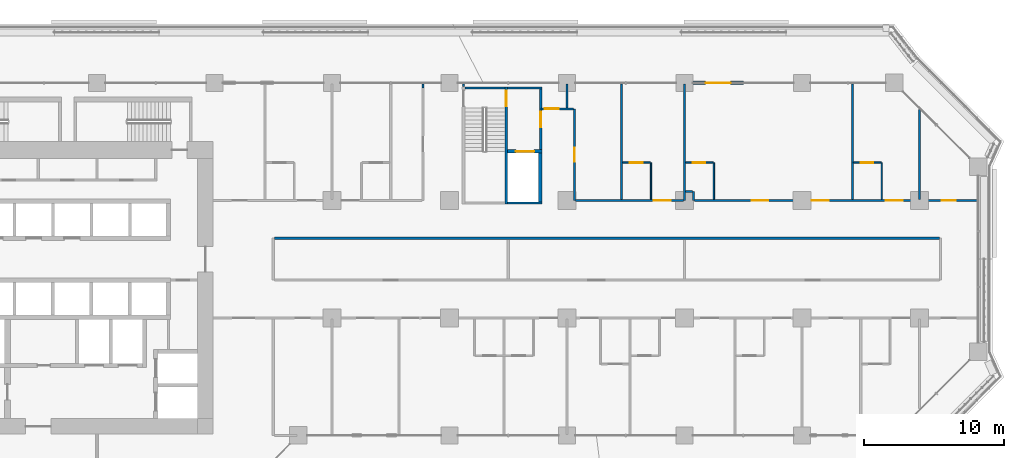
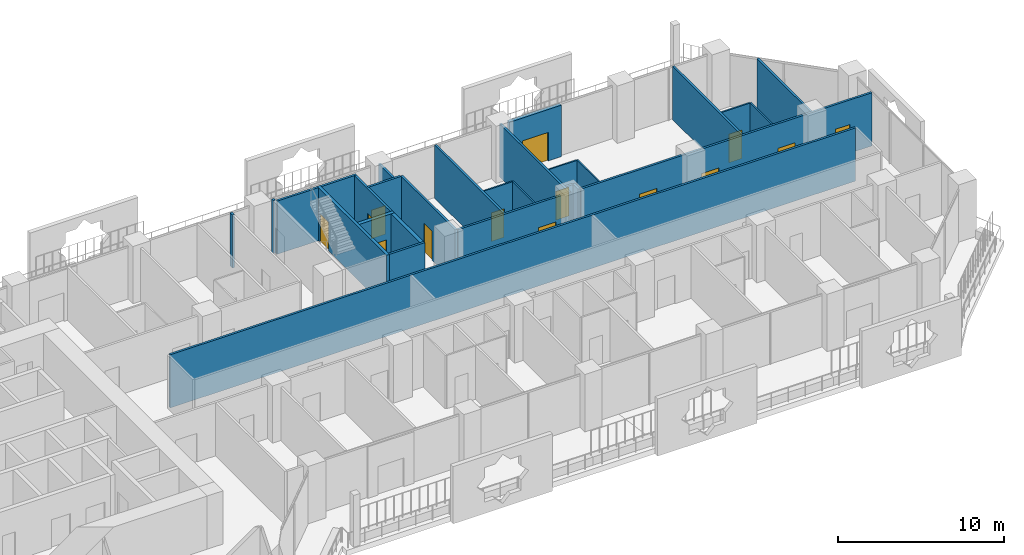
# One storey, part 19 of 28: 28 walls, 14 doors, 14 openings.
"""IFC4 building model written with IfcOpenShell, lengths in metres."""

from ifc_helpers import new_model, si_unit, direction, frame, frame_2d, origin, place, context, subcontext, project, spatial, rectangle, extrude, material, layer, layer_set, type_object, element, fill, save


model = new_model("IFC4")

# Units and contexts
model_context = context("Model", 3, precision=1e-05, world=origin(), true_north=direction((0.0, 1.0)))
body_context = subcontext(model_context, "Body", "Model", "MODEL_VIEW")
ifc_project = project(units=[si_unit("LENGTHUNIT", "METRE"), si_unit("AREAUNIT", "SQUARE_METRE"), si_unit("VOLUMEUNIT", "CUBIC_METRE"), si_unit("PLANEANGLEUNIT", "RADIAN"), si_unit("MASSUNIT", "GRAM", prefix="KILO")], contexts=[model_context])

# Site, building, storey
site_placement = place(None, origin())
site = spatial("IfcSite", under=ifc_project, at=site_placement, CompositionType="ELEMENT")
building_placement = place(site_placement, origin())
building = spatial("IfcBuilding", under=site, at=building_placement, Name="Kawkab Arch Medical Tower", CompositionType="ELEMENT")
storey_placement = place(building_placement, frame((0.0, 0.0, 81.199951171875)))
storey = spatial("IfcBuildingStorey", under=building, at=storey_placement, Name="L18", CompositionType="ELEMENT", Elevation=81.199951171875)

# Wall, opening, door
ifc_material_1 = material(Name="Gypsum board on steel studs", Category="steel")
ifc_layer_1 = layer(ifc_material_1, 0.14990234375)
ifc_layer_set_1 = layer_set([ifc_layer_1], Name="Gypsum board on steel studs")
wall_type_1 = type_object("IfcWallType", Name="Core room partition 150", PredefinedType="PARTITIONING", material=ifc_layer_set_1)
wall_1_placement = place(storey_placement, frame((48.52490234375, -4.77490234375, 0.0), z_axis=(0.0, 0.0, 1.0), x_axis=(0.0, 1.0, 0.0)))
wall_1 = element("IfcWall", 1, at=wall_1_placement, inside=storey, type_object=wall_type_1, Name="L18 core room partition", PredefinedType="PARTITIONING", context=body_context, shape_type="SweptSolid", body=[
    extrude(rectangle(XDim=4.324951171875, YDim=0.14990234375, at=frame_2d((2.16259765625, 0.0))), origin(), (0.0, 0.0, 1.0), 3.900146484375),
])
opening_1_placement = place(wall_1_placement, frame((1.625, 0.0, 0.0)))
opening_1 = element("IfcOpeningElement", 2, at=opening_1_placement, cuts=wall_1, Name="Opening FD", PredefinedType="OPENING", context=body_context, shape_type="SweptSolid", body=[
    extrude(rectangle(XDim=1.10009765625, YDim=2.10009765625, at=frame_2d((0.550048828125, 1.050048828125))), frame((0.0, 0.0849609375, 0.0), z_axis=(0.0, -1.0, 0.0), x_axis=(1.0, 0.0, 0.0)), (0.0, 0.0, 1.0), 0.169921875),
])
ifc_material_2 = material(Name="Hollow metal fire door leaf")
door_type_1 = type_object("IfcDoorType", Name="Firefighting lobby door 1100", OperationType="SINGLE_SWING_LEFT", PredefinedType="DOOR", material=ifc_material_2)
door_1_placement = place(opening_1_placement, origin())
door_1 = element("IfcDoor", 3, at=door_1_placement, inside=storey, type_object=door_type_1, Name="L18 Service lift lobby door SV1", OperationType="SINGLE_SWING_LEFT", OverallHeight=2.10009765625, OverallWidth=1.10009765625, PredefinedType="DOOR", context=body_context, shape_type="SweptSolid", body=[
    extrude(rectangle(XDim=1.10009765625, YDim=2.10009765625, at=frame_2d((0.550048828125, 1.050048828125))), frame((0.0, 0.02490234375, 0.0), z_axis=(0.0, -1.0, 0.0), x_axis=(1.0, 0.0, 0.0)), (0.0, 0.0, 1.0), 0.050048828125),
])
fill(opening_1, door_1)

ifc_material_3 = material(Name="Concrete C60/75", Category="concrete")
ifc_layer_2 = layer(ifc_material_3, 0.25)
ifc_layer_set_2 = layer_set([ifc_layer_2], Name="Concrete C60/75")
wall_type_2 = type_object("IfcWallType", Name="Core shear wall 250 C60/75", PredefinedType="SHEAR", material=ifc_layer_set_2)
wall_2_placement = place(storey_placement, frame((46.14990234375, -4.89990234375, 0.0), z_axis=(0.0, 0.0, 1.0), x_axis=(1.0, 0.0, 0.0)))
wall_2 = element("IfcWall", 4, at=wall_2_placement, inside=storey, type_object=wall_type_2, Name="L18 core shear wall", PredefinedType="SHEAR", context=body_context, shape_type="SweptSolid", body=[
    extrude(rectangle(XDim=2.4501953125, YDim=0.25, at=frame_2d((1.22509765625, 0.0))), origin(), (0.0, 0.0, 1.0), 3.900146484375),
])
opening_2_placement = place(wall_2_placement, frame((0.60009765625, 0.0, 0.0)))
opening_2 = element("IfcOpeningElement", 5, at=opening_2_placement, cuts=wall_2, Name="Opening LD2", PredefinedType="OPENING", context=body_context, shape_type="SweptSolid", body=[
    extrude(rectangle(XDim=1.300048828125, YDim=2.10009765625, at=frame_2d((0.64990234375, 1.050048828125))), frame((0.0, 0.135009765625, 0.0), z_axis=(0.0, -1.0, 0.0), x_axis=(1.0, 0.0, 0.0)), (0.0, 0.0, 1.0), 0.27001953125),
])
ifc_material_4 = material(Name="Stainless steel lift door leaf", Category="steel")
door_type_2 = type_object("IfcDoorType", Name="Lift landing door 1300", OperationType="DOUBLE_DOOR_SLIDING", PredefinedType="DOOR", material=ifc_material_4)
door_2_placement = place(opening_2_placement, origin())
door_2 = element("IfcDoor", 6, at=door_2_placement, inside=storey, type_object=door_type_2, Name="L18 Lift landing door SV1", OperationType="DOUBLE_DOOR_SLIDING", OverallHeight=2.10009765625, OverallWidth=1.300048828125, PredefinedType="DOOR", context=body_context, shape_type="SweptSolid", body=[
    extrude(rectangle(XDim=1.300048828125, YDim=2.10009765625, at=frame_2d((0.64990234375, 1.050048828125))), frame((0.0, 0.02490234375, 0.0), z_axis=(0.0, -1.0, 0.0), x_axis=(1.0, 0.0, 0.0)), (0.0, 0.0, 1.0), 0.050048828125),
])
fill(opening_2, door_2)

# Wall
wall_3_placement = place(storey_placement, frame((48.47509765625, -8.5, 0.0), z_axis=(0.0, 0.0, 1.0), x_axis=(0.0, 1.0, 0.0)))
element("IfcWall", 7, at=wall_3_placement, inside=storey, type_object=wall_type_2, Name="L18 core shear wall", PredefinedType="SHEAR", context=body_context, shape_type="SweptSolid", body=[
    extrude(rectangle(XDim=3.47509765625, YDim=0.25, at=frame_2d((1.737548828125, 0.0))), origin(), (0.0, 0.0, 1.0), 3.900146484375),
])

# Wall, opening, door
ifc_material_5 = material(Name="Bronze clad insulated wall panel")
ifc_layer_3 = layer(ifc_material_5, 0.25)
ifc_layer_set_3 = layer_set([ifc_layer_3], Name="Bronze clad insulated wall panel")
wall_type_3 = type_object("IfcWallType", Name="External wall bay 250", PredefinedType="SOLIDWALL", material=ifc_layer_set_3)
wall_4_placement = place(storey_placement, frame((63.0, 0.0, 0.0), z_axis=(0.0, 0.0, 1.0), x_axis=(-1.0, 0.0, 0.0)))
wall_4 = element("IfcWall", 8, at=wall_4_placement, inside=storey, type_object=wall_type_3, Name="External wall bay L18.R11.2.2", PredefinedType="SOLIDWALL", context=body_context, shape_type="SweptSolid", body=[
    extrude(rectangle(XDim=3.60009765625, YDim=0.25, at=frame_2d((1.800048828125, 0.0))), origin(), (0.0, 0.0, 1.0), 3.780029296875),
])
opening_3_placement = place(wall_4_placement, frame((0.89990234375, 0.0, 0.0)))
opening_3 = element("IfcOpeningElement", 9, at=opening_3_placement, cuts=wall_4, Name="Opening W18-702", PredefinedType="OPENING", context=body_context, shape_type="SweptSolid", body=[
    extrude(rectangle(XDim=1.800048828125, YDim=2.10009765625, at=frame_2d((0.89990234375, 1.050048828125))), frame((0.0, 0.135009765625, 0.0), z_axis=(0.0, -1.0, 0.0), x_axis=(1.0, 0.0, 0.0)), (0.0, 0.0, 1.0), 0.27001953125),
])
ifc_material_6 = material(Name="Bronze anodised aluminium door with tinted glass", Category="aluminium")
door_type_3 = type_object("IfcDoorType", Name="Double external door 1800 x 2100", OperationType="DOUBLE_DOOR_SINGLE_SWING", PredefinedType="DOOR", material=ifc_material_6)
door_3_placement = place(opening_3_placement, origin())
door_3 = element("IfcDoor", 10, at=door_3_placement, inside=storey, type_object=door_type_3, Name="External door L18.R11.2.2", OperationType="DOUBLE_DOOR_SINGLE_SWING", OverallHeight=2.10009765625, OverallWidth=1.800048828125, PredefinedType="DOOR", context=body_context, shape_type="SweptSolid", body=[
    extrude(rectangle(XDim=1.800048828125, YDim=2.10009765625, at=frame_2d((0.89990234375, 1.050048828125))), frame((0.0, 0.02490234375, 0.0), z_axis=(0.0, -1.0, 0.0), x_axis=(1.0, 0.0, 0.0)), (0.0, 0.0, 1.0), 0.050048828125),
])
fill(opening_3, door_3)

ifc_material_7 = material(Name="Gypsum board partition on steel studs", Category="steel")
ifc_layer_4 = layer(ifc_material_7, 0.10009765625)
ifc_layer_set_4 = layer_set([ifc_layer_4], Name="Gypsum board partition on steel studs")
wall_type_4 = type_object("IfcWallType", Name="Partition 100", PredefinedType="PARTITIONING", material=ifc_layer_set_4)
wall_5_placement = place(storey_placement, frame((54.375, -5.699951171875, 0.0), z_axis=(0.0, 0.0, 1.0), x_axis=(1.0, 0.0, 0.0)))
wall_5 = element("IfcWall", 11, at=wall_5_placement, inside=storey, type_object=wall_type_4, Name="Partition 100 w017", PredefinedType="PARTITIONING", context=body_context, shape_type="SweptSolid", body=[
    extrude(rectangle(XDim=1.97509765625, YDim=0.10009765625, at=frame_2d((0.987548828125, 0.0))), origin(), (0.0, 0.0, 1.0), 3.900146484375),
])
opening_4_placement = place(wall_5_placement, frame((0.52490234375, 0.0, 0.0)))
opening_4 = element("IfcOpeningElement", 12, at=opening_4_placement, cuts=wall_5, Name="Opening W18-005", PredefinedType="OPENING", context=body_context, shape_type="SweptSolid", body=[
    extrude(rectangle(XDim=0.89990234375, YDim=2.10009765625, at=frame_2d((0.449951171875, 1.050048828125))), frame((0.0, 0.06005859375, 0.0), z_axis=(0.0, -1.0, 0.0), x_axis=(1.0, 0.0, 0.0)), (0.0, 0.0, 1.0), 0.1201171875),
])
ifc_material_8 = material(Name="Timber door leaf", Category="wood")
door_type_4 = type_object("IfcDoorType", Name="Single door 900x2100", OperationType="NOTDEFINED", PredefinedType="DOOR", material=ifc_material_8)
door_4_placement = place(opening_4_placement, origin())
door_4 = element("IfcDoor", 13, at=door_4_placement, inside=storey, type_object=door_type_4, Name="Door W18-005", OperationType="SINGLE_SWING_RIGHT", OverallHeight=2.10009765625, OverallWidth=0.89990234375, PredefinedType="DOOR", context=body_context, shape_type="SweptSolid", body=[
    extrude(rectangle(XDim=0.89990234375, YDim=2.10009765625, at=frame_2d((0.449951171875, 1.050048828125))), frame((0.0, 0.02490234375, 0.0), z_axis=(0.0, -1.0, 0.0), x_axis=(1.0, 0.0, 0.0)), (0.0, 0.0, 1.0), 0.050048828125),
])
fill(opening_4, door_4)

wall_6_placement = place(storey_placement, frame((58.875, -5.699951171875, 0.0), z_axis=(0.0, 0.0, 1.0), x_axis=(1.0, 0.0, 0.0)))
wall_6 = element("IfcWall", 14, at=wall_6_placement, inside=storey, type_object=wall_type_4, Name="Partition 100 w018", PredefinedType="PARTITIONING", context=body_context, shape_type="SweptSolid", body=[
    extrude(rectangle(XDim=1.972900390625, YDim=0.10009765625, at=frame_2d((0.986328125, 0.0))), origin(), (0.0, 0.0, 1.0), 3.900146484375),
])
opening_5_placement = place(wall_6_placement, frame((0.52392578125, 0.0, 0.0)))
opening_5 = element("IfcOpeningElement", 15, at=opening_5_placement, cuts=wall_6, Name="Opening W18-006", PredefinedType="OPENING", context=body_context, shape_type="SweptSolid", body=[
    extrude(rectangle(XDim=0.89990234375, YDim=2.10009765625, at=frame_2d((0.449951171875, 1.050048828125))), frame((0.0, 0.06005859375, 0.0), z_axis=(0.0, -1.0, 0.0), x_axis=(1.0, 0.0, 0.0)), (0.0, 0.0, 1.0), 0.1201171875),
])
door_5_placement = place(opening_5_placement, origin())
door_5 = element("IfcDoor", 16, at=door_5_placement, inside=storey, type_object=door_type_4, Name="Door W18-006", OperationType="SINGLE_SWING_LEFT", OverallHeight=2.10009765625, OverallWidth=0.89990234375, PredefinedType="DOOR", context=body_context, shape_type="SweptSolid", body=[
    extrude(rectangle(XDim=0.89990234375, YDim=2.10009765625, at=frame_2d((0.449951171875, 1.050048828125))), frame((0.0, 0.02490234375, 0.0), z_axis=(0.0, -1.0, 0.0), x_axis=(1.0, 0.0, 0.0)), (0.0, 0.0, 1.0), 0.050048828125),
])
fill(opening_5, door_5)

wall_7_placement = place(storey_placement, frame((70.875, -5.699951171875, 0.0), z_axis=(0.0, 0.0, 1.0), x_axis=(1.0, 0.0, 0.0)))
wall_7 = element("IfcWall", 17, at=wall_7_placement, inside=storey, type_object=wall_type_4, Name="Partition 100 w019", PredefinedType="PARTITIONING", context=body_context, shape_type="SweptSolid", body=[
    extrude(rectangle(XDim=1.97509765625, YDim=0.10009765625, at=frame_2d((0.987548828125, 0.0))), origin(), (0.0, 0.0, 1.0), 3.900146484375),
])
opening_6_placement = place(wall_7_placement, frame((0.52490234375, 0.0, 0.0)))
opening_6 = element("IfcOpeningElement", 18, at=opening_6_placement, cuts=wall_7, Name="Opening W18-007", PredefinedType="OPENING", context=body_context, shape_type="SweptSolid", body=[
    extrude(rectangle(XDim=0.89990234375, YDim=2.10009765625, at=frame_2d((0.449951171875, 1.050048828125))), frame((0.0, 0.06005859375, 0.0), z_axis=(0.0, -1.0, 0.0), x_axis=(1.0, 0.0, 0.0)), (0.0, 0.0, 1.0), 0.1201171875),
])
door_6_placement = place(opening_6_placement, origin())
door_6 = element("IfcDoor", 19, at=door_6_placement, inside=storey, type_object=door_type_4, Name="Door W18-007", OperationType="SINGLE_SWING_LEFT", OverallHeight=2.10009765625, OverallWidth=0.89990234375, PredefinedType="DOOR", context=body_context, shape_type="SweptSolid", body=[
    extrude(rectangle(XDim=0.89990234375, YDim=2.10009765625, at=frame_2d((0.449951171875, 1.050048828125))), frame((0.0, 0.02490234375, 0.0), z_axis=(0.0, -1.0, 0.0), x_axis=(1.0, 0.0, 0.0)), (0.0, 0.0, 1.0), 0.050048828125),
])
fill(opening_6, door_6)

# Walls
wall_8_placement = place(storey_placement, frame((56.39990234375, -8.324951171875, 0.0), z_axis=(0.0, 0.0, 1.0), x_axis=(0.0, 1.0, 0.0)))
element("IfcWall", 20, at=wall_8_placement, inside=storey, type_object=wall_type_4, Name="Partition 100 w033", PredefinedType="PARTITIONING", context=body_context, shape_type="SweptSolid", body=[
    extrude(rectangle(XDim=2.625, YDim=0.10009765625, at=frame_2d((1.3125, 0.0))), origin(), (0.0, 0.0, 1.0), 3.900146484375),
])
wall_9_placement = place(storey_placement, frame((60.89990234375, -8.324951171875, 0.0), z_axis=(0.0, 0.0, 1.0), x_axis=(0.0, 1.0, 0.0)))
element("IfcWall", 21, at=wall_9_placement, inside=storey, type_object=wall_type_4, Name="Partition 100 w035", PredefinedType="PARTITIONING", context=body_context, shape_type="SweptSolid", body=[
    extrude(rectangle(XDim=2.6240234375, YDim=0.10009765625, at=frame_2d((1.31201171875, 0.0))), origin(), (0.0, 0.0, 1.0), 3.900146484375),
])
wall_10_placement = place(storey_placement, frame((72.89990234375, -8.324951171875, 0.0), z_axis=(0.0, 0.0, 1.0), x_axis=(0.0, 1.0, 0.0)))
element("IfcWall", 22, at=wall_10_placement, inside=storey, type_object=wall_type_4, Name="Partition 100 w037", PredefinedType="PARTITIONING", context=body_context, shape_type="SweptSolid", body=[
    extrude(rectangle(XDim=2.625, YDim=0.10009765625, at=frame_2d((1.3125, 0.0))), origin(), (0.0, 0.0, 1.0), 3.900146484375),
])
ifc_material_9 = material(Name="Gypsum board partition on steel studs, mineral wool", Category="steel")
ifc_layer_5 = layer(ifc_material_9, 0.14990234375)
ifc_layer_set_5 = layer_set([ifc_layer_5], Name="Gypsum board partition on steel studs, mineral wool")
wall_type_5 = type_object("IfcWallType", Name="Partition 150", PredefinedType="PARTITIONING", material=ifc_layer_set_5)
wall_11_placement = place(storey_placement, frame((29.47509765625, -11.10009765625, 0.0), z_axis=(0.0, 0.0, 1.0), x_axis=(1.0, 0.0, 0.0)))
element("IfcWall", 23, at=wall_11_placement, inside=storey, type_object=wall_type_5, Name="Partition 150 w062", PredefinedType="PARTITIONING", context=body_context, shape_type="SweptSolid", body=[
    extrude(rectangle(XDim=47.5498046875, YDim=0.14990234375, at=frame_2d((23.77490234375, 0.0))), origin(), (0.0, 0.0, 1.0), 3.900146484375),
])

# Wall, opening, door
wall_12_placement = place(storey_placement, frame((51.0, -8.39990234375, 0.0), z_axis=(0.0, 0.0, 1.0), x_axis=(1.0, 0.0, 0.0)))
wall_12 = element("IfcWall", 24, at=wall_12_placement, inside=storey, type_object=wall_type_5, Name="Partition 150 w065", PredefinedType="PARTITIONING", context=body_context, shape_type="SweptSolid", body=[
    extrude(rectangle(XDim=7.722900390625, YDim=0.14990234375, at=frame_2d((3.861328125, 0.0))), origin(), (0.0, 0.0, 1.0), 3.900146484375),
])
opening_7_placement = place(wall_12_placement, frame((5.60009765625, 0.0, 0.0)))
opening_7 = element("IfcOpeningElement", 25, at=opening_7_placement, cuts=wall_12, Name="Opening W18-047", PredefinedType="OPENING", context=body_context, shape_type="SweptSolid", body=[
    extrude(rectangle(XDim=1.199951171875, YDim=2.10009765625, at=frame_2d((0.60009765625, 1.050048828125))), frame((0.0, 0.0849609375, 0.0), z_axis=(0.0, -1.0, 0.0), x_axis=(1.0, 0.0, 0.0)), (0.0, 0.0, 1.0), 0.169921875),
])
ifc_material_10 = material(Name="Hollow metal door leaf")
door_type_5 = type_object("IfcDoorType", Name="Single door 1200x2100 FD30S", OperationType="NOTDEFINED", PredefinedType="DOOR", material=ifc_material_10)
door_7_placement = place(opening_7_placement, origin())
door_7 = element("IfcDoor", 26, at=door_7_placement, inside=storey, type_object=door_type_5, Name="Door W18-047", OperationType="SINGLE_SWING_RIGHT", OverallHeight=2.10009765625, OverallWidth=1.199951171875, PredefinedType="DOOR", context=body_context, shape_type="SweptSolid", body=[
    extrude(rectangle(XDim=1.199951171875, YDim=2.10009765625, at=frame_2d((0.60009765625, 1.050048828125))), frame((0.0, 0.02490234375, 0.0), z_axis=(0.0, -1.0, 0.0), x_axis=(1.0, 0.0, 0.0)), (0.0, 0.0, 1.0), 0.050048828125),
])
fill(opening_7, door_7)

# Wall, openings, doors
wall_13_placement = place(storey_placement, frame((59.527099609375, -8.39990234375, 0.0), z_axis=(0.0, 0.0, 1.0), x_axis=(1.0, 0.0, 0.0)))
wall_13 = element("IfcWall", 27, at=wall_13_placement, inside=storey, type_object=wall_type_5, Name="Partition 150 w066", PredefinedType="PARTITIONING", context=body_context, shape_type="SweptSolid", body=[
    extrude(rectangle(XDim=20.19287109375, YDim=0.14990234375, at=frame_2d((10.096435546875, 0.0))), origin(), (0.0, 0.0, 1.0), 3.900146484375),
])
opening_8_placement = place(wall_13_placement, frame((4.072998046875, 0.0, 0.0)))
opening_8 = element("IfcOpeningElement", 28, at=opening_8_placement, cuts=wall_13, Name="Opening W18-048", PredefinedType="OPENING", context=body_context, shape_type="SweptSolid", body=[
    extrude(rectangle(XDim=1.199951171875, YDim=2.10009765625, at=frame_2d((0.60009765625, 1.050048828125))), frame((0.0, 0.0849609375, 0.0), z_axis=(0.0, -1.0, 0.0), x_axis=(1.0, 0.0, 0.0)), (0.0, 0.0, 1.0), 0.169921875),
])
opening_9_placement = place(wall_13_placement, frame((8.373046875, 0.0, 0.0)))
opening_9 = element("IfcOpeningElement", 29, at=opening_9_placement, cuts=wall_13, Name="Opening W18-049", PredefinedType="OPENING", context=body_context, shape_type="SweptSolid", body=[
    extrude(rectangle(XDim=1.199951171875, YDim=2.10009765625, at=frame_2d((0.60009765625, 1.050048828125))), frame((0.0, 0.0849609375, 0.0), z_axis=(0.0, -1.0, 0.0), x_axis=(1.0, 0.0, 0.0)), (0.0, 0.0, 1.0), 0.169921875),
])
opening_10_placement = place(wall_13_placement, frame((13.673095703125, 0.0, 0.0)))
opening_10 = element("IfcOpeningElement", 30, at=opening_10_placement, cuts=wall_13, Name="Opening W18-050", PredefinedType="OPENING", context=body_context, shape_type="SweptSolid", body=[
    extrude(rectangle(XDim=1.199951171875, YDim=2.10009765625, at=frame_2d((0.60009765625, 1.050048828125))), frame((0.0, 0.0849609375, 0.0), z_axis=(0.0, -1.0, 0.0), x_axis=(1.0, 0.0, 0.0)), (0.0, 0.0, 1.0), 0.169921875),
])
opening_11_placement = place(wall_13_placement, frame((17.673095703125, 0.0, 0.0)))
opening_11 = element("IfcOpeningElement", 31, at=opening_11_placement, cuts=wall_13, Name="Opening W18-031", PredefinedType="OPENING", context=body_context, shape_type="SweptSolid", body=[
    extrude(rectangle(XDim=1.0, YDim=2.10009765625, at=frame_2d((0.5, 1.050048828125))), frame((0.0, 0.0849609375, 0.0), z_axis=(0.0, -1.0, 0.0), x_axis=(1.0, 0.0, 0.0)), (0.0, 0.0, 1.0), 0.169921875),
])
ifc_material_11 = material(Name="Hollow metal door leaf")
door_type_6 = type_object("IfcDoorType", Name="Single door 1000x2100 FD30S", OperationType="NOTDEFINED", PredefinedType="DOOR", material=ifc_material_11)
door_8_placement = place(opening_11_placement, origin())
door_8 = element("IfcDoor", 32, at=door_8_placement, inside=storey, type_object=door_type_6, Name="Door W18-031", OperationType="SINGLE_SWING_RIGHT", OverallHeight=2.10009765625, OverallWidth=1.0, PredefinedType="DOOR", context=body_context, shape_type="SweptSolid", body=[
    extrude(rectangle(XDim=1.0, YDim=2.10009765625, at=frame_2d((0.5, 1.050048828125))), frame((0.0, 0.02490234375, 0.0), z_axis=(0.0, -1.0, 0.0), x_axis=(1.0, 0.0, 0.0)), (0.0, 0.0, 1.0), 0.050048828125),
])
fill(opening_11, door_8)
door_9_placement = place(opening_8_placement, origin())
door_9 = element("IfcDoor", 33, at=door_9_placement, inside=storey, type_object=door_type_5, Name="Door W18-048", OperationType="SINGLE_SWING_LEFT", OverallHeight=2.10009765625, OverallWidth=1.199951171875, PredefinedType="DOOR", context=body_context, shape_type="SweptSolid", body=[
    extrude(rectangle(XDim=1.199951171875, YDim=2.10009765625, at=frame_2d((0.60009765625, 1.050048828125))), frame((0.0, 0.02490234375, 0.0), z_axis=(0.0, -1.0, 0.0), x_axis=(1.0, 0.0, 0.0)), (0.0, 0.0, 1.0), 0.050048828125),
])
fill(opening_8, door_9)
door_10_placement = place(opening_9_placement, origin())
door_10 = element("IfcDoor", 34, at=door_10_placement, inside=storey, type_object=door_type_5, Name="Door W18-049", OperationType="SINGLE_SWING_LEFT", OverallHeight=2.10009765625, OverallWidth=1.199951171875, PredefinedType="DOOR", context=body_context, shape_type="SweptSolid", body=[
    extrude(rectangle(XDim=1.199951171875, YDim=2.10009765625, at=frame_2d((0.60009765625, 1.050048828125))), frame((0.0, 0.02490234375, 0.0), z_axis=(0.0, -1.0, 0.0), x_axis=(1.0, 0.0, 0.0)), (0.0, 0.0, 1.0), 0.050048828125),
])
fill(opening_9, door_10)
door_11_placement = place(opening_10_placement, origin())
door_11 = element("IfcDoor", 35, at=door_11_placement, inside=storey, type_object=door_type_5, Name="Door W18-050", OperationType="SINGLE_SWING_RIGHT", OverallHeight=2.10009765625, OverallWidth=1.199951171875, PredefinedType="DOOR", context=body_context, shape_type="SweptSolid", body=[
    extrude(rectangle(XDim=1.199951171875, YDim=2.10009765625, at=frame_2d((0.60009765625, 1.050048828125))), frame((0.0, 0.02490234375, 0.0), z_axis=(0.0, -1.0, 0.0), x_axis=(1.0, 0.0, 0.0)), (0.0, 0.0, 1.0), 0.050048828125),
])
fill(opening_10, door_11)

# Wall
wall_14_placement = place(storey_placement, frame((58.875, -7.75, 0.0), z_axis=(0.0, 0.0, 1.0), x_axis=(1.0, 0.0, 0.0)))
element("IfcWall", 36, at=wall_14_placement, inside=storey, type_object=wall_type_5, Name="Partition 150 w067", PredefinedType="PARTITIONING", context=body_context, shape_type="SweptSolid", body=[
    extrude(rectangle(XDim=0.5, YDim=0.14990234375, at=frame_2d((0.25, 0.0))), origin(), (0.0, 0.0, 1.0), 3.900146484375),
])

# Wall, opening, door
wall_15_placement = place(storey_placement, frame((48.550048828125, -1.85009765625, 0.0), z_axis=(0.0, 0.0, 1.0), x_axis=(1.0, 0.0, 0.0)))
wall_15 = element("IfcWall", 37, at=wall_15_placement, inside=storey, type_object=wall_type_5, Name="Partition 150 w068", PredefinedType="PARTITIONING", context=body_context, shape_type="SweptSolid", body=[
    extrude(rectangle(XDim=2.2978515625, YDim=0.14990234375, at=frame_2d((1.14892578125, 0.0))), origin(), (0.0, 0.0, 1.0), 3.900146484375),
])
opening_12_placement = place(wall_15_placement, frame((0.25, 0.0, 0.0)))
opening_12 = element("IfcOpeningElement", 38, at=opening_12_placement, cuts=wall_15, Name="Opening W18-029", PredefinedType="OPENING", context=body_context, shape_type="SweptSolid", body=[
    extrude(rectangle(XDim=1.0, YDim=2.10009765625, at=frame_2d((0.5, 1.050048828125))), frame((0.0, 0.0849609375, 0.0), z_axis=(0.0, -1.0, 0.0), x_axis=(1.0, 0.0, 0.0)), (0.0, 0.0, 1.0), 0.169921875),
])
door_12_placement = place(opening_12_placement, origin())
door_12 = element("IfcDoor", 39, at=door_12_placement, inside=storey, type_object=door_type_6, Name="Door W18-029", OperationType="SINGLE_SWING_LEFT", OverallHeight=2.10009765625, OverallWidth=1.0, PredefinedType="DOOR", context=body_context, shape_type="SweptSolid", body=[
    extrude(rectangle(XDim=1.0, YDim=2.10009765625, at=frame_2d((0.5, 1.050048828125))), frame((0.0, 0.02490234375, 0.0), z_axis=(0.0, -1.0, 0.0), x_axis=(1.0, 0.0, 0.0)), (0.0, 0.0, 1.0), 0.050048828125),
])
fill(opening_12, door_12)

# Walls
wall_16_placement = place(storey_placement, frame((40.10693359375, -0.35009765625, 0.0), z_axis=(0.0, 0.0, 1.0), x_axis=(0.0, 1.0, 0.0)))
element("IfcWall", 40, at=wall_16_placement, inside=storey, type_object=wall_type_5, Name="Partition 150 w086", PredefinedType="PARTITIONING", context=body_context, shape_type="SweptSolid", body=[
    extrude(rectangle(XDim=0.27001953125, YDim=0.14990234375, at=frame_2d((0.135009765625, 0.0))), origin(), (0.0, 0.0, 1.0), 3.900146484375),
])
wall_17_placement = place(storey_placement, frame((43.0, -0.27001953125, 0.0), z_axis=(0.0, 0.0, 1.0), x_axis=(0.0, 1.0, 0.0)))
element("IfcWall", 41, at=wall_17_placement, inside=storey, type_object=wall_type_5, Name="Partition 150 w087", PredefinedType="PARTITIONING", context=body_context, shape_type="SweptSolid", body=[
    extrude(rectangle(XDim=0.18994140625, YDim=0.14990234375, at=frame_2d((0.094970703125, 0.0))), origin(), (0.0, 0.0, 1.0), 3.900146484375),
])
wall_18_placement = place(storey_placement, frame((50.39990234375, -1.77490234375, 0.0), z_axis=(0.0, 0.0, 1.0), x_axis=(0.0, 1.0, 0.0)))
element("IfcWall", 42, at=wall_18_placement, inside=storey, type_object=wall_type_5, Name="Partition 150 w091", PredefinedType="PARTITIONING", context=body_context, shape_type="SweptSolid", body=[
    extrude(rectangle(XDim=1.69482421875, YDim=0.14990234375, at=frame_2d((0.847412109375, 0.0))), origin(), (0.0, 0.0, 1.0), 3.900146484375),
])

# Wall, opening, door
wall_19_placement = place(storey_placement, frame((50.925048828125, -8.39990234375, 0.0), z_axis=(0.0, 0.0, 1.0), x_axis=(0.0, 1.0, 0.0)))
wall_19 = element("IfcWall", 43, at=wall_19_placement, inside=storey, type_object=wall_type_5, Name="Partition 150 w092", PredefinedType="PARTITIONING", context=body_context, shape_type="SweptSolid", body=[
    extrude(rectangle(XDim=6.5478515625, YDim=0.14990234375, at=frame_2d((3.27392578125, 0.0))), origin(), (0.0, 0.0, 1.0), 3.900146484375),
])
opening_13_placement = place(wall_19_placement, frame((2.77392578125, 0.0, 0.0)))
opening_13 = element("IfcOpeningElement", 44, at=opening_13_placement, cuts=wall_19, Name="Opening W18-030", PredefinedType="OPENING", context=body_context, shape_type="SweptSolid", body=[
    extrude(rectangle(XDim=1.0, YDim=2.10009765625, at=frame_2d((0.5, 1.050048828125))), frame((0.0, 0.0849609375, 0.0), z_axis=(0.0, -1.0, 0.0), x_axis=(1.0, 0.0, 0.0)), (0.0, 0.0, 1.0), 0.169921875),
])
door_13_placement = place(opening_13_placement, origin())
door_13 = element("IfcDoor", 45, at=door_13_placement, inside=storey, type_object=door_type_6, Name="Door W18-030", OperationType="SINGLE_SWING_LEFT", OverallHeight=2.10009765625, OverallWidth=1.0, PredefinedType="DOOR", context=body_context, shape_type="SweptSolid", body=[
    extrude(rectangle(XDim=1.0, YDim=2.10009765625, at=frame_2d((0.5, 1.050048828125))), frame((0.0, 0.02490234375, 0.0), z_axis=(0.0, -1.0, 0.0), x_axis=(1.0, 0.0, 0.0)), (0.0, 0.0, 1.0), 0.050048828125),
])
fill(opening_13, door_13)

# Walls
wall_20_placement = place(storey_placement, frame((54.300048828125, -8.324951171875, 0.0), z_axis=(0.0, 0.0, 1.0), x_axis=(0.0, 1.0, 0.0)))
element("IfcWall", 46, at=wall_20_placement, inside=storey, type_object=wall_type_5, Name="Partition 150 w093", PredefinedType="PARTITIONING", context=body_context, shape_type="SweptSolid", body=[
    extrude(rectangle(XDim=8.244873046875, YDim=0.14990234375, at=frame_2d((4.12255859375, 0.0))), origin(), (0.0, 0.0, 1.0), 3.900146484375),
])
wall_21_placement = place(storey_placement, frame((58.800048828125, -8.39794921875, 0.0), z_axis=(0.0, 0.0, 1.0), x_axis=(0.0, 1.0, 0.0)))
element("IfcWall", 47, at=wall_21_placement, inside=storey, type_object=wall_type_5, Name="Partition 150 w096", PredefinedType="PARTITIONING", context=body_context, shape_type="SweptSolid", body=[
    extrude(rectangle(XDim=8.31787109375, YDim=0.14990234375, at=frame_2d((4.158935546875, 0.0))), origin(), (0.0, 0.0, 1.0), 3.900146484375),
])
wall_22_placement = place(storey_placement, frame((59.449951171875, -8.39794921875, 0.0), z_axis=(0.0, 0.0, 1.0), x_axis=(0.0, 1.0, 0.0)))
element("IfcWall", 48, at=wall_22_placement, inside=storey, type_object=wall_type_5, Name="Partition 150 w097", PredefinedType="PARTITIONING", context=body_context, shape_type="SweptSolid", body=[
    extrude(rectangle(XDim=0.64794921875, YDim=0.14990234375, at=frame_2d((0.323974609375, 0.0))), origin(), (0.0, 0.0, 1.0), 3.900146484375),
])
wall_23_placement = place(storey_placement, frame((70.800048828125, -8.324951171875, 0.0), z_axis=(0.0, 0.0, 1.0), x_axis=(0.0, 1.0, 0.0)))
element("IfcWall", 49, at=wall_23_placement, inside=storey, type_object=wall_type_5, Name="Partition 150 w100", PredefinedType="PARTITIONING", context=body_context, shape_type="SweptSolid", body=[
    extrude(rectangle(XDim=8.244873046875, YDim=0.14990234375, at=frame_2d((4.12255859375, 0.0))), origin(), (0.0, 0.0, 1.0), 3.900146484375),
])
wall_24_placement = place(storey_placement, frame((75.60009765625, -8.324951171875, 0.0), z_axis=(0.0, 0.0, 1.0), x_axis=(0.0, 1.0, 0.0)))
element("IfcWall", 50, at=wall_24_placement, inside=storey, type_object=wall_type_5, Name="Partition 150 w103", PredefinedType="PARTITIONING", context=body_context, shape_type="SweptSolid", body=[
    extrude(rectangle(XDim=6.411865234375, YDim=0.14990234375, at=frame_2d((3.2060546875, 0.0))), origin(), (0.0, 0.0, 1.0), 3.900146484375),
])
ifc_material_12 = material(Name="Concrete C50/60", Category="concrete")
ifc_layer_6 = layer(ifc_material_12, 0.14990234375)
ifc_layer_set_6 = layer_set([ifc_layer_6], Name="Concrete C50/60")
wall_type_6 = type_object("IfcWallType", Name="Stair enclosure wall 150 C50/60", PredefinedType="SHEAR", material=ifc_layer_set_6)
wall_25_placement = place(storey_placement, frame((43.10009765625, -0.375, 0.0), z_axis=(0.0, 0.0, 1.0), x_axis=(1.0, 0.0, 0.0)))
element("IfcWall", 51, at=wall_25_placement, inside=storey, type_object=wall_type_6, Name="L18 stair enclosure wall", PredefinedType="SHEAR", context=body_context, shape_type="SweptSolid", body=[
    extrude(rectangle(XDim=2.849853515625, YDim=0.14990234375, at=frame_2d((1.4248046875, 0.0))), origin(), (0.0, 0.0, 1.0), 3.900146484375),
])
for number, where, z_axis, x_axis, name in (
    (52, (46.14990234375, -0.375, 0.0), (0.0, 0.0, 1.0), (1.0, 0.0, 0.0), "L18 stair enclosure wall"),
    (53, (46.14990234375, -8.574951171875, 0.0), (0.0, 0.0, 1.0), (1.0, 0.0, 0.0), "L18 stair enclosure wall"),
):
    element("IfcWall", number, at=place(storey_placement, frame(where, z_axis=z_axis, x_axis=x_axis)), inside=storey, type_object=wall_type_6, Name=name, PredefinedType="SHEAR", context=body_context, shape_type="SweptSolid", body=[
        extrude(rectangle(XDim=2.4501953125, YDim=0.14990234375, at=frame_2d((1.22509765625, 0.0))), origin(), (0.0, 0.0, 1.0), 3.900146484375),
    ])

# Wall, opening, door
ifc_material_13 = material(Name="Concrete C50/60", Category="concrete")
ifc_layer_7 = layer(ifc_material_13, 0.199951171875)
ifc_layer_set_7 = layer_set([ifc_layer_7], Name="Concrete C50/60")
wall_type_7 = type_object("IfcWallType", Name="Stair enclosure wall 200 C50/60", PredefinedType="SHEAR", material=ifc_layer_set_7)
wall_26_placement = place(storey_placement, frame((46.050048828125, -8.64990234375, 0.0), z_axis=(0.0, 0.0, 1.0), x_axis=(0.0, 1.0, 0.0)))
wall_26 = element("IfcWall", 54, at=wall_26_placement, inside=storey, type_object=wall_type_7, Name="L18 stair enclosure wall", PredefinedType="SHEAR", context=body_context, shape_type="SweptSolid", body=[
    extrude(rectangle(XDim=8.349853515625, YDim=0.199951171875, at=frame_2d((4.1748046875, 0.0))), origin(), (0.0, 0.0, 1.0), 3.900146484375),
])
opening_14_placement = place(wall_26_placement, frame((7.0, 0.0, 0.0)))
opening_14 = element("IfcOpeningElement", 55, at=opening_14_placement, cuts=wall_26, Name="Opening SD", PredefinedType="OPENING", context=body_context, shape_type="SweptSolid", body=[
    extrude(rectangle(XDim=1.10009765625, YDim=2.10009765625, at=frame_2d((0.550048828125, 1.050048828125))), frame((0.0, 0.10986328125, 0.0), z_axis=(0.0, -1.0, 0.0), x_axis=(1.0, 0.0, 0.0)), (0.0, 0.0, 1.0), 0.219970703125),
])
ifc_material_14 = material(Name="Hollow metal fire door leaf")
door_type_7 = type_object("IfcDoorType", Name="Exit stair door 1100", OperationType="SINGLE_SWING_LEFT", PredefinedType="DOOR", material=ifc_material_14)
door_14_placement = place(opening_14_placement, origin())
door_14 = element("IfcDoor", 56, at=door_14_placement, inside=storey, type_object=door_type_7, Name="L18 Exit stair ST5 lobby door", OperationType="SINGLE_SWING_LEFT", OverallHeight=2.10009765625, OverallWidth=1.10009765625, PredefinedType="DOOR", context=body_context, shape_type="SweptSolid", body=[
    extrude(rectangle(XDim=1.10009765625, YDim=2.10009765625, at=frame_2d((0.550048828125, 1.050048828125))), frame((0.0, 0.02490234375, 0.0), z_axis=(0.0, -1.0, 0.0), x_axis=(1.0, 0.0, 0.0)), (0.0, 0.0, 1.0), 0.050048828125),
])
fill(opening_14, door_14)

save(model, "model.ifc")
